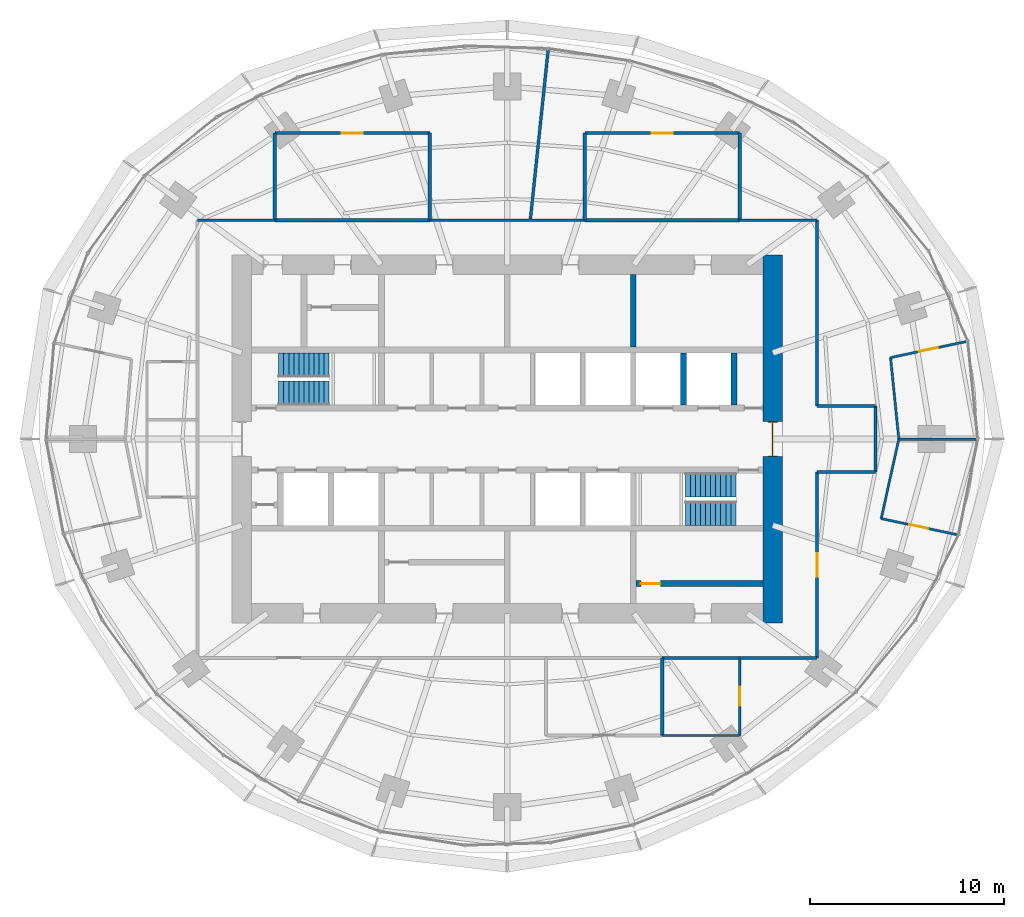
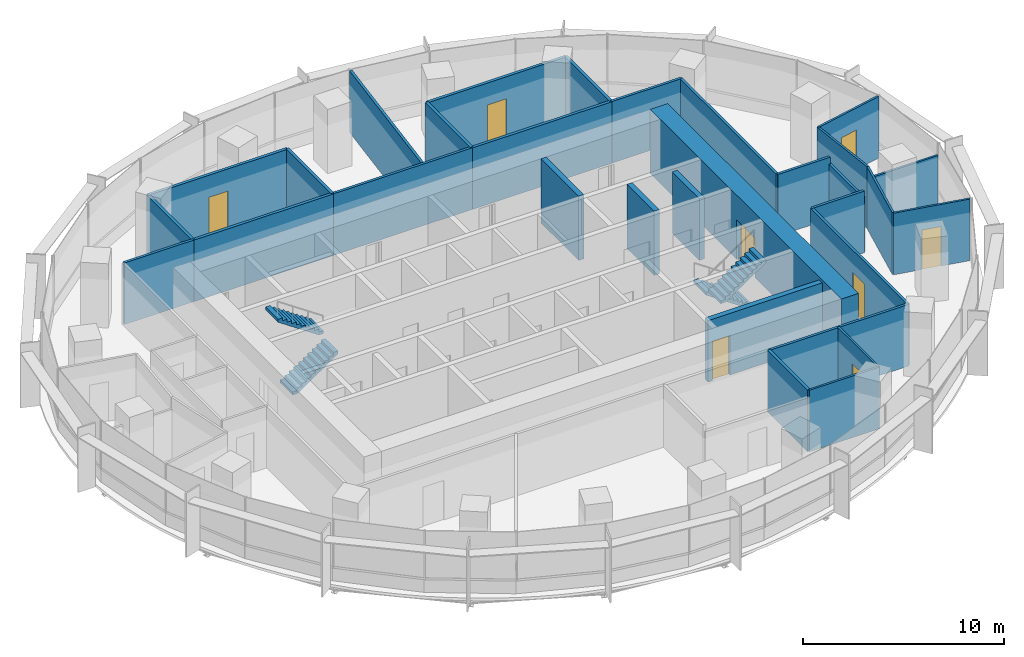
# One storey, part 12 of 14: 31 walls, 8 doors, 4 stair flights, 8 openings, 2 elements without a shape of their own.
"""IFC4 building model written with IfcOpenShell, lengths in metres."""

from ifc_helpers import new_model, si_unit, direction, frame, frame_2d, origin, place, context, subcontext, project, spatial, polyline, rectangle, outline, extrude, material, layer, layer_set, type_object, element, fill, aggregate, save


model = new_model("IFC4")

# Units and contexts
model_context = context("Model", 3, precision=1e-05, world=origin(), true_north=direction((0.0, 1.0)))
body_context = subcontext(model_context, "Body", "Model", "MODEL_VIEW")
ifc_project = project(units=[si_unit("LENGTHUNIT", "METRE"), si_unit("AREAUNIT", "SQUARE_METRE"), si_unit("VOLUMEUNIT", "CUBIC_METRE"), si_unit("PLANEANGLEUNIT", "RADIAN"), si_unit("MASSUNIT", "GRAM", prefix="KILO")], contexts=[model_context])

# Site, building, storey
site_placement = place(None, origin())
site = spatial("IfcSite", under=ifc_project, at=site_placement, CompositionType="ELEMENT")
building_placement = place(site_placement, origin())
building = spatial("IfcBuilding", under=site, at=building_placement, Name="Marramba Exchange Tower", CompositionType="ELEMENT")
storey_placement = place(building_placement, frame((0.0, 0.0, 179.89990234375)))
storey = spatial("IfcBuildingStorey", under=building, at=storey_placement, Name="L43", CompositionType="ELEMENT", Elevation=179.89990234375)

# Walls
ifc_material_1 = material(Name="Plasterboard on staggered double steel studs, acoustic insulation", Category="steel")
ifc_layer_1 = layer(ifc_material_1, 0.169921875)
ifc_layer_set_1 = layer_set([ifc_layer_1], Name="Acoustic partition 170")
wall_type_1 = type_object("IfcWallType", Name="Acoustic partition 170", PredefinedType="PARTITIONING", material=ifc_layer_set_1)
wall_1_placement = place(storey_placement, frame((8.0, -11.300048828125, 0.0), z_axis=(0.0, 0.0, 1.0), x_axis=(0.0, -1.0, 0.0)))
element("IfcWall", 1, at=wall_1_placement, inside=storey, type_object=wall_type_1, Name="Acoustic partition L43 09", PredefinedType="PARTITIONING", context=body_context, shape_type="SweptSolid", body=[
    extrude(rectangle(XDim=4.0, YDim=0.169921875, at=frame_2d((2.0, 0.0))), origin(), (0.0, 0.0, 1.0), 3.739990234375),
])
wall_2_placement = place(storey_placement, frame((12.0, 11.300048828125, 0.0), z_axis=(0.0, 0.0, 1.0), x_axis=(0.0, 1.0, 0.0)))
element("IfcWall", 2, at=wall_2_placement, inside=storey, type_object=wall_type_1, Name="Acoustic partition L43 24", PredefinedType="PARTITIONING", context=body_context, shape_type="SweptSolid", body=[
    extrude(rectangle(XDim=4.5, YDim=0.169921875, at=frame_2d((2.25, 0.0))), origin(), (0.0, 0.0, 1.0), 3.739990234375),
])
wall_3_placement = place(storey_placement, frame((4.0, 11.300048828125, 0.0), z_axis=(0.0, 0.0, 1.0), x_axis=(1.0, 0.0, 0.0)))
element("IfcWall", 3, at=wall_3_placement, inside=storey, type_object=wall_type_1, Name="Acoustic partition L43 25", PredefinedType="PARTITIONING", context=body_context, shape_type="SweptSolid", body=[
    extrude(rectangle(XDim=8.0, YDim=0.169921875, at=frame_2d((4.0, 0.0))), origin(), (0.0, 0.0, 1.0), 3.739990234375),
])

# Wall, opening, door
wall_4_placement = place(storey_placement, frame((12.0, 15.800048828125, 0.0), z_axis=(0.0, 0.0, 1.0), x_axis=(-1.0, 0.0, 0.0)))
wall_4 = element("IfcWall", 4, at=wall_4_placement, inside=storey, type_object=wall_type_1, Name="Acoustic partition L43 26", PredefinedType="PARTITIONING", context=body_context, shape_type="SweptSolid", body=[
    extrude(rectangle(XDim=8.0, YDim=0.169921875, at=frame_2d((4.0, 0.0))), origin(), (0.0, 0.0, 1.0), 3.739990234375),
])
opening_1_placement = place(wall_4_placement, frame((3.449951171875, 0.0, 0.0)))
opening_1 = element("IfcOpeningElement", 5, at=opening_1_placement, cuts=wall_4, Name="Opening D15", PredefinedType="OPENING", context=body_context, shape_type="SweptSolid", body=[
    extrude(rectangle(XDim=1.10009765625, YDim=2.39990234375, at=frame_2d((0.550048828125, 1.199951171875))), frame((0.0, 0.094970703125, 0.0), z_axis=(0.0, -1.0, 0.0), x_axis=(1.0, 0.0, 0.0)), (0.0, 0.0, 1.0), 0.18994140625),
])
ifc_material_2 = material(Name="Timber door", Category="wood")
door_type_1 = type_object("IfcDoorType", Name="Glazed meeting room door 1100x2400", OperationType="SINGLE_SWING_LEFT", PredefinedType="DOOR", material=ifc_material_2)
door_1_placement = place(opening_1_placement, origin())
door_1 = element("IfcDoor", 6, at=door_1_placement, inside=storey, type_object=door_type_1, Name="D15 Meeting Room 1 L43", OperationType="SINGLE_SWING_RIGHT", OverallHeight=2.39990234375, OverallWidth=1.10009765625, PredefinedType="DOOR", context=body_context, shape_type="SweptSolid", body=[
    extrude(rectangle(XDim=1.10009765625, YDim=2.39990234375, at=frame_2d((0.550048828125, 1.199951171875))), frame((0.0, 0.02490234375, 0.0), z_axis=(0.0, -1.0, 0.0), x_axis=(1.0, 0.0, 0.0)), (0.0, 0.0, 1.0), 0.050048828125),
])
fill(opening_1, door_1)

# Walls
for number, where, z_axis, x_axis, name in (
    (7, (4.0, 15.800048828125, 0.0), (0.0, 0.0, 1.0), (0.0, -1.0, 0.0), "Acoustic partition L43 27"),
    (8, (-4.0, 11.300048828125, 0.0), (0.0, 0.0, 1.0), (0.0, 1.0, 0.0), "Acoustic partition L43 30"),
):
    element("IfcWall", number, at=place(storey_placement, frame(where, z_axis=z_axis, x_axis=x_axis)), inside=storey, type_object=wall_type_1, Name=name, PredefinedType="PARTITIONING", context=body_context, shape_type="SweptSolid", body=[
        extrude(rectangle(XDim=4.5, YDim=0.169921875, at=frame_2d((2.25, 0.0))), origin(), (0.0, 0.0, 1.0), 3.739990234375),
    ])

# Wall, opening, door
wall_5_placement = place(storey_placement, frame((-4.0, 15.800048828125, 0.0), z_axis=(0.0, 0.0, 1.0), x_axis=(-1.0, 0.0, 0.0)))
wall_5 = element("IfcWall", 9, at=wall_5_placement, inside=storey, type_object=wall_type_1, Name="Acoustic partition L43 31", PredefinedType="PARTITIONING", context=body_context, shape_type="SweptSolid", body=[
    extrude(rectangle(XDim=8.0, YDim=0.169921875, at=frame_2d((4.0, 0.0))), origin(), (0.0, 0.0, 1.0), 3.739990234375),
])
opening_2_placement = place(wall_5_placement, frame((3.449951171875, 0.0, 0.0)))
opening_2 = element("IfcOpeningElement", 10, at=opening_2_placement, cuts=wall_5, Name="Opening D15", PredefinedType="OPENING", context=body_context, shape_type="SweptSolid", body=[
    extrude(rectangle(XDim=1.10009765625, YDim=2.39990234375, at=frame_2d((0.550048828125, 1.199951171875))), frame((0.0, 0.094970703125, 0.0), z_axis=(0.0, -1.0, 0.0), x_axis=(1.0, 0.0, 0.0)), (0.0, 0.0, 1.0), 0.18994140625),
])
door_2_placement = place(opening_2_placement, origin())
door_2 = element("IfcDoor", 11, at=door_2_placement, inside=storey, type_object=door_type_1, Name="D15 Meeting Room 3 L43", OperationType="SINGLE_SWING_RIGHT", OverallHeight=2.39990234375, OverallWidth=1.10009765625, PredefinedType="DOOR", context=body_context, shape_type="SweptSolid", body=[
    extrude(rectangle(XDim=1.10009765625, YDim=2.39990234375, at=frame_2d((0.550048828125, 1.199951171875))), frame((0.0, 0.02490234375, 0.0), z_axis=(0.0, -1.0, 0.0), x_axis=(1.0, 0.0, 0.0)), (0.0, 0.0, 1.0), 0.050048828125),
])
fill(opening_2, door_2)

# Walls
wall_6_placement = place(storey_placement, frame((-12.0, 11.300048828125, 0.0), z_axis=(0.0, 0.0, 1.0), x_axis=(1.0, 0.0, 0.0)))
element("IfcWall", 12, at=wall_6_placement, inside=storey, type_object=wall_type_1, Name="Acoustic partition L43 32", PredefinedType="PARTITIONING", context=body_context, shape_type="SweptSolid", body=[
    extrude(rectangle(XDim=8.0, YDim=0.169921875, at=frame_2d((4.0, 0.0))), origin(), (0.0, 0.0, 1.0), 3.739990234375),
])
wall_7_placement = place(storey_placement, frame((-12.0, 15.800048828125, 0.0), z_axis=(0.0, 0.0, 1.0), x_axis=(0.0, -1.0, 0.0)))
element("IfcWall", 13, at=wall_7_placement, inside=storey, type_object=wall_type_1, Name="Acoustic partition L43 33", PredefinedType="PARTITIONING", context=body_context, shape_type="SweptSolid", body=[
    extrude(rectangle(XDim=4.5, YDim=0.169921875, at=frame_2d((2.25, 0.0))), origin(), (0.0, 0.0, 1.0), 3.739990234375),
])

# Wall, opening, door
ifc_material_3 = material(Name="Concrete N50", Category="concrete")
ifc_layer_2 = layer(ifc_material_3, 1.0)
ifc_layer_set_2 = layer_set([ifc_layer_2], Name="Core wall 1000")
wall_type_2 = type_object("IfcWallType", Name="Core wall 1000", PredefinedType="SHEAR", material=ifc_layer_set_2)
wall_8_placement = place(storey_placement, frame((13.699951171875, -9.5, 0.0), z_axis=(0.0, 0.0, 1.0), x_axis=(0.0, 1.0, 0.0)))
wall_8 = element("IfcWall", 14, at=wall_8_placement, inside=storey, type_object=wall_type_2, Name="Core wall E L43", PredefinedType="SHEAR", context=body_context, shape_type="SweptSolid", body=[
    extrude(rectangle(XDim=19.0, YDim=1.0, at=frame_2d((9.5, 0.0))), origin(), (0.0, 0.0, 1.0), 3.900146484375),
])
opening_3_placement = place(wall_8_placement, frame((8.60009765625, 0.0, 0.0)))
opening_3 = element("IfcOpeningElement", 15, at=opening_3_placement, cuts=wall_8, Name="Opening D1", PredefinedType="OPENING", context=body_context, shape_type="SweptSolid", body=[
    extrude(rectangle(XDim=1.800048828125, YDim=2.39990234375, at=frame_2d((0.89990234375, 1.199951171875))), frame((0.0, 0.510009765625, 0.0), z_axis=(0.0, -1.0, 0.0), x_axis=(1.0, 0.0, 0.0)), (0.0, 0.0, 1.0), 1.02001953125),
])
ifc_material_4 = material(Name="Steel-framed door", Category="steel")
door_type_2 = type_object("IfcDoorType", Name="Lobby exit door 1800x2400", OperationType="DOUBLE_DOOR_SINGLE_SWING", PredefinedType="DOOR", material=ifc_material_4)
door_3_placement = place(opening_3_placement, origin())
door_3 = element("IfcDoor", 16, at=door_3_placement, inside=storey, type_object=door_type_2, Name="D1 lobby exit east L43", OperationType="DOUBLE_DOOR_SINGLE_SWING", OverallHeight=2.39990234375, OverallWidth=1.800048828125, PredefinedType="DOOR", context=body_context, shape_type="SweptSolid", body=[
    extrude(rectangle(XDim=1.719970703125, YDim=2.35986328125, at=frame_2d((0.89990234375, 1.179931640625))), frame((0.0, 0.02490234375, 0.0), z_axis=(0.0, -1.0, 0.0), x_axis=(1.0, 0.0, 0.0)), (0.0, 0.0, 1.0), 0.050048828125),
    extrude(rectangle(XDim=0.04, YDim=2.39990234375, at=frame_2d((0.02001953125, 1.199951171875))), frame((0.0, 0.25, 0.0), z_axis=(0.0, -1.0, 0.0), x_axis=(1.0, 0.0, 0.0)), (0.0, 0.0, 1.0), 0.5),
    extrude(rectangle(XDim=0.04, YDim=2.39990234375, at=frame_2d((1.780029296875, 1.199951171875))), frame((0.0, 0.25, 0.0), z_axis=(0.0, -1.0, 0.0), x_axis=(1.0, 0.0, 0.0)), (0.0, 0.0, 1.0), 0.5),
    extrude(rectangle(XDim=1.719970703125, YDim=0.04, at=frame_2d((0.89990234375, 2.3798828125))), frame((0.0, 0.25, 0.0), z_axis=(0.0, -1.0, 0.0), x_axis=(1.0, 0.0, 0.0)), (0.0, 0.0, 1.0), 0.5),
])
fill(opening_3, door_3)

# Walls
ifc_layer_3 = layer(ifc_material_3, 0.300048828125)
ifc_layer_set_3 = layer_set([ifc_layer_3], Name="Core wall 300")
wall_type_3 = type_object("IfcWallType", Name="Core wall 300", PredefinedType="SHEAR", material=ifc_layer_set_3)
wall_9_placement = place(storey_placement, frame((6.5, 4.75, 0.0), z_axis=(0.0, 0.0, 1.0), x_axis=(0.0, 1.0, 0.0)))
element("IfcWall", 17, at=wall_9_placement, inside=storey, type_object=wall_type_3, Name="Core wall X1Nb L43", PredefinedType="SHEAR", context=body_context, shape_type="SweptSolid", body=[
    extrude(rectangle(XDim=3.75, YDim=0.300048828125, at=frame_2d((1.875, 0.0))), origin(), (0.0, 0.0, 1.0), 3.900146484375),
])
wall_10_placement = place(storey_placement, frame((9.10009765625, 1.75, 0.0), z_axis=(0.0, 0.0, 1.0), x_axis=(0.0, 1.0, 0.0)))
element("IfcWall", 18, at=wall_10_placement, inside=storey, type_object=wall_type_3, Name="Core wall ED L43", PredefinedType="SHEAR", context=body_context, shape_type="SweptSolid", body=[
    extrude(rectangle(XDim=2.699951171875, YDim=0.300048828125, at=frame_2d((1.35009765625, 0.0))), origin(), (0.0, 0.0, 1.0), 3.900146484375),
])
ifc_material_5 = material(Name="Core-filled concrete blockwork", Category="masonry")
ifc_layer_4 = layer(ifc_material_5, 0.300048828125)
ifc_layer_set_4 = layer_set([ifc_layer_4], Name="Lift shaft wall 300")
wall_type_4 = type_object("IfcWallType", Name="Lift shaft wall 300", PredefinedType="SOLIDWALL", material=ifc_layer_set_4)
wall_11_placement = place(storey_placement, frame((11.699951171875, 1.75, 0.0), z_axis=(0.0, 0.0, 1.0), x_axis=(0.0, 1.0, 0.0)))
element("IfcWall", 19, at=wall_11_placement, inside=storey, type_object=wall_type_4, Name="Lift shaft wall E1 L43", PredefinedType="SOLIDWALL", context=body_context, shape_type="SweptSolid", body=[
    extrude(rectangle(XDim=2.699951171875, YDim=0.300048828125, at=frame_2d((1.35009765625, 0.0))), origin(), (0.0, 0.0, 1.0), 3.739990234375),
])
ifc_material_6 = material(Name="Plasterboard on steel studs", Category="steel")
ifc_layer_5 = layer(ifc_material_6, 0.1201171875)
ifc_layer_set_5 = layer_set([ifc_layer_5], Name="Partition 120")
wall_type_5 = type_object("IfcWallType", Name="Partition 120", PredefinedType="PARTITIONING", material=ifc_layer_set_5)
wall_12_placement = place(storey_placement, frame((8.0, -15.300048828125, 0.0), z_axis=(0.0, 0.0, 1.0), x_axis=(1.0, 0.0, 0.0)))
element("IfcWall", 20, at=wall_12_placement, inside=storey, type_object=wall_type_5, Name="Partition L43 10", PredefinedType="PARTITIONING", context=body_context, shape_type="SweptSolid", body=[
    extrude(rectangle(XDim=4.0, YDim=0.1201171875, at=frame_2d((2.0, 0.0))), origin(), (0.0, 0.0, 1.0), 3.739990234375),
])

# Wall, opening, door
wall_13_placement = place(storey_placement, frame((12.0, -15.300048828125, 0.0), z_axis=(0.0, 0.0, 1.0), x_axis=(0.0, 1.0, 0.0)))
wall_13 = element("IfcWall", 21, at=wall_13_placement, inside=storey, type_object=wall_type_5, Name="Partition L43 11", PredefinedType="PARTITIONING", context=body_context, shape_type="SweptSolid", body=[
    extrude(rectangle(XDim=4.0, YDim=0.1201171875, at=frame_2d((2.0, 0.0))), origin(), (0.0, 0.0, 1.0), 3.739990234375),
])
opening_4_placement = place(wall_13_placement, frame((1.52587890625, 0.0, 0.0)))
opening_4 = element("IfcOpeningElement", 22, at=opening_4_placement, cuts=wall_13, Name="Opening D9", PredefinedType="OPENING", context=body_context, shape_type="SweptSolid", body=[
    extrude(rectangle(XDim=1.0, YDim=2.39990234375, at=frame_2d((0.5, 1.199951171875))), frame((0.0, 0.070068359375, 0.0), z_axis=(0.0, -1.0, 0.0), x_axis=(1.0, 0.0, 0.0)), (0.0, 0.0, 1.0), 0.14013671875),
])
door_type_3 = type_object("IfcDoorType", Name="Room door 1000x2400", OperationType="SINGLE_SWING_LEFT", PredefinedType="DOOR", material=ifc_material_2)
door_4_placement = place(opening_4_placement, origin())
door_4 = element("IfcDoor", 23, at=door_4_placement, inside=storey, type_object=door_type_3, Name="D9 Pantry 1 L43", OperationType="SINGLE_SWING_RIGHT", OverallHeight=2.39990234375, OverallWidth=1.0, PredefinedType="DOOR", context=body_context, shape_type="SweptSolid", body=[
    extrude(rectangle(XDim=1.0, YDim=2.39990234375, at=frame_2d((0.5, 1.199951171875))), frame((0.0, 0.02490234375, 0.0), z_axis=(0.0, -1.0, 0.0), x_axis=(1.0, 0.0, 0.0)), (0.0, 0.0, 1.0), 0.050048828125),
])
fill(opening_4, door_4)

wall_14_placement = place(storey_placement, frame((19.3056640625, -4.103515625, 0.0), z_axis=(0.0, 0.0, 1.0), x_axis=(0.978137903693, -0.207957306576, 0.0)))
wall_14 = element("IfcWall", 24, at=wall_14_placement, inside=storey, type_object=wall_type_5, Name="Partition L43 14", PredefinedType="PARTITIONING", context=body_context, shape_type="SweptSolid", body=[
    extrude(rectangle(XDim=3.999755859375, YDim=0.1201171875, at=frame_2d((2.0, 0.0))), origin(), (0.0, 0.0, 1.0), 3.739990234375),
])
opening_5_placement = place(wall_14_placement, frame((1.47412109375, 0.0, 0.0)))
opening_5 = element("IfcOpeningElement", 25, at=opening_5_placement, cuts=wall_14, Name="Opening D9", PredefinedType="OPENING", context=body_context, shape_type="SweptSolid", body=[
    extrude(rectangle(XDim=1.0, YDim=2.39990234375, at=frame_2d((0.5, 1.199951171875))), frame((0.0, 0.070068359375, 0.0), z_axis=(0.0, -1.0, 0.0), x_axis=(1.0, 0.0, 0.0)), (0.0, 0.0, 1.0), 0.14013671875),
])
door_5_placement = place(opening_5_placement, origin())
door_5 = element("IfcDoor", 26, at=door_5_placement, inside=storey, type_object=door_type_3, Name="D9 Office 1 L43", OperationType="SINGLE_SWING_LEFT", OverallHeight=2.39990234375, OverallWidth=1.0, PredefinedType="DOOR", context=body_context, shape_type="SweptSolid", body=[
    extrude(rectangle(XDim=1.0, YDim=2.39990234375, at=frame_2d((0.5, 1.199951171875))), frame((0.0, 0.02490234375, 0.0), z_axis=(0.0, -1.0, 0.0), x_axis=(1.0, 0.0, 0.0)), (0.0, 0.0, 1.0), 0.050048828125),
])
fill(opening_5, door_5)

# Walls
wall_15_placement = place(storey_placement, frame((20.214111328125, 0.0, 0.0), z_axis=(0.0, 0.0, 1.0), x_axis=(-0.216149261834, -0.976360331337, 0.0)))
element("IfcWall", 27, at=wall_15_placement, inside=storey, type_object=wall_type_5, Name="Partition L43 15", PredefinedType="PARTITIONING", context=body_context, shape_type="SweptSolid", body=[
    extrude(rectangle(XDim=4.202880859375, YDim=0.1201171875, at=frame_2d((2.1015625, 0.0))), origin(), (0.0, 0.0, 1.0), 3.739990234375),
])
wall_16_placement = place(storey_placement, frame((20.214111328125, 0.0, 0.0), z_axis=(0.0, 0.0, 1.0), x_axis=(1.0, 0.0, 0.0)))
element("IfcWall", 28, at=wall_16_placement, inside=storey, type_object=wall_type_5, Name="Partition L43 18", PredefinedType="PARTITIONING", context=body_context, shape_type="SweptSolid", body=[
    extrude(rectangle(XDim=4.0, YDim=0.1201171875, at=frame_2d((2.0, 0.0))), origin(), (0.0, 0.0, 1.0), 3.0400390625),
])
wall_17_placement = place(storey_placement, frame((19.787841796875, 4.2060546875, 0.0), z_axis=(0.0, 0.0, 1.0), x_axis=(0.100830147459, -0.994903654312, 0.0)))
element("IfcWall", 29, at=wall_17_placement, inside=storey, type_object=wall_type_5, Name="Partition L43 20", PredefinedType="PARTITIONING", context=body_context, shape_type="SweptSolid", body=[
    extrude(rectangle(XDim=4.2275390625, YDim=0.1201171875, at=frame_2d((2.11376953125, 0.0))), origin(), (0.0, 0.0, 1.0), 3.739990234375),
])

# Wall, opening, door
wall_18_placement = place(storey_placement, frame((23.700439453125, 5.03759765625, 0.0), z_axis=(0.0, 0.0, 1.0), x_axis=(-0.978152955943, -0.207886494942, 0.0)))
wall_18 = element("IfcWall", 30, at=wall_18_placement, inside=storey, type_object=wall_type_5, Name="Partition L43 21", PredefinedType="PARTITIONING", context=body_context, shape_type="SweptSolid", body=[
    extrude(rectangle(XDim=4.0, YDim=0.1201171875, at=frame_2d((2.0, 0.0))), origin(), (0.0, 0.0, 1.0), 3.739990234375),
])
opening_6_placement = place(wall_18_placement, frame((1.5, 0.0, 0.0)))
opening_6 = element("IfcOpeningElement", 31, at=opening_6_placement, cuts=wall_18, Name="Opening D9", PredefinedType="OPENING", context=body_context, shape_type="SweptSolid", body=[
    extrude(rectangle(XDim=1.0, YDim=2.39990234375, at=frame_2d((0.5, 1.199951171875))), frame((0.0, 0.070068359375, 0.0), z_axis=(0.0, -1.0, 0.0), x_axis=(1.0, 0.0, 0.0)), (0.0, 0.0, 1.0), 0.14013671875),
])
door_6_placement = place(opening_6_placement, origin())
door_6 = element("IfcDoor", 32, at=door_6_placement, inside=storey, type_object=door_type_3, Name="D9 Office 2 L43", OperationType="SINGLE_SWING_RIGHT", OverallHeight=2.39990234375, OverallWidth=1.0, PredefinedType="DOOR", context=body_context, shape_type="SweptSolid", body=[
    extrude(rectangle(XDim=1.0, YDim=2.39990234375, at=frame_2d((0.5, 1.199951171875))), frame((0.0, 0.02490234375, 0.0), z_axis=(0.0, -1.0, 0.0), x_axis=(1.0, 0.0, 0.0)), (0.0, 0.0, 1.0), 0.050048828125),
])
fill(opening_6, door_6)

ifc_material_7 = material(Name="Plasterboard on steel studs, insulated, unrated", Category="steel")
ifc_layer_6 = layer(ifc_material_7, 0.300048828125)
ifc_layer_set_6 = layer_set([ifc_layer_6], Name="Store partition 300")
wall_type_6 = type_object("IfcWallType", Name="Store partition 300", PredefinedType="PARTITIONING", material=ifc_layer_set_6)
wall_19_placement = place(storey_placement, frame((6.64990234375, -7.4599609375, 0.0), z_axis=(0.0, 0.0, 1.0), x_axis=(1.0, 0.0, 0.0)))
wall_19 = element("IfcWall", 33, at=wall_19_placement, inside=storey, type_object=wall_type_6, Name="Store partition L43 cstore", PredefinedType="PARTITIONING", context=body_context, shape_type="SweptSolid", body=[
    extrude(rectangle(XDim=6.550048828125, YDim=0.300048828125, at=frame_2d((3.27490234375, 0.0))), origin(), (0.0, 0.0, 1.0), 3.739990234375),
])
opening_7_placement = place(wall_19_placement, frame((0.25, 0.0, 0.0)))
opening_7 = element("IfcOpeningElement", 34, at=opening_7_placement, cuts=wall_19, Name="Opening D9", PredefinedType="OPENING", context=body_context, shape_type="SweptSolid", body=[
    extrude(rectangle(XDim=1.0, YDim=2.39990234375, at=frame_2d((0.5, 1.199951171875))), frame((0.0, 0.159912109375, 0.0), z_axis=(0.0, -1.0, 0.0), x_axis=(1.0, 0.0, 0.0)), (0.0, 0.0, 1.0), 0.320068359375),
])
door_7_placement = place(opening_7_placement, frame((1.0, 0.0, 0.0), z_axis=(0.0, 0.0, 1.0), x_axis=(-1.0, 0.0, 0.0)))
door_7 = element("IfcDoor", 35, at=door_7_placement, inside=storey, type_object=door_type_3, Name="D9 general store L43", OperationType="SINGLE_SWING_RIGHT", OverallHeight=2.39990234375, OverallWidth=1.0, PredefinedType="DOOR", context=body_context, shape_type="SweptSolid", body=[
    extrude(rectangle(XDim=1.0, YDim=2.39990234375, at=frame_2d((0.5, 1.199951171875))), frame((0.0, 0.025146484375, 0.0), z_axis=(0.0, -1.0, 0.0), x_axis=(1.0, 0.0, 0.0)), (0.0, 0.0, 1.0), 0.050048828125),
])
fill(opening_7, door_7)

# Wall
ifc_material_8 = material(Name="Fire-rated plasterboard on steel studs, acoustic insulation", Category="steel")
ifc_layer_7 = layer(ifc_material_8, 0.14990234375)
ifc_layer_set_7 = layer_set([ifc_layer_7], Name="Tenancy wall 150")
wall_type_7 = type_object("IfcWallType", Name="Tenancy wall 150", PredefinedType="PARTITIONING", material=ifc_layer_set_7)
wall_20_placement = place(storey_placement, frame((8.0, -11.300048828125, 0.0), z_axis=(0.0, 0.0, 1.0), x_axis=(1.0, 0.0, 0.0)))
element("IfcWall", 36, at=wall_20_placement, inside=storey, type_object=wall_type_7, Name="Tenancy wall L43 12", PredefinedType="PARTITIONING", context=body_context, shape_type="SweptSolid", body=[
    extrude(rectangle(XDim=8.0, YDim=0.14990234375, at=frame_2d((4.0, 0.0))), origin(), (0.0, 0.0, 1.0), 3.739990234375),
])

# Wall, opening, door
wall_21_placement = place(storey_placement, frame((16.0, -11.300048828125, 0.0), z_axis=(0.0, 0.0, 1.0), x_axis=(0.0, 1.0, 0.0)))
wall_21 = element("IfcWall", 37, at=wall_21_placement, inside=storey, type_object=wall_type_7, Name="Tenancy wall L43 13", PredefinedType="PARTITIONING", context=body_context, shape_type="SweptSolid", body=[
    extrude(rectangle(XDim=9.60009765625, YDim=0.14990234375, at=frame_2d((4.800048828125, 0.0))), origin(), (0.0, 0.0, 1.0), 3.739990234375),
])
opening_8_placement = place(wall_21_placement, frame((4.199951171875, 0.0, 0.0)))
opening_8 = element("IfcOpeningElement", 38, at=opening_8_placement, cuts=wall_21, Name="Opening D13", PredefinedType="OPENING", context=body_context, shape_type="SweptSolid", body=[
    extrude(rectangle(XDim=1.199951171875, YDim=2.39990234375, at=frame_2d((0.60009765625, 1.199951171875))), frame((0.0, 0.0849609375, 0.0), z_axis=(0.0, -1.0, 0.0), x_axis=(1.0, 0.0, 0.0)), (0.0, 0.0, 1.0), 0.169921875),
])
door_type_4 = type_object("IfcDoorType", Name="Tenancy entry door 1200x2400", OperationType="SINGLE_SWING_LEFT", PredefinedType="DOOR", material=ifc_material_4)
door_8_placement = place(opening_8_placement, origin())
door_8 = element("IfcDoor", 39, at=door_8_placement, inside=storey, type_object=door_type_4, Name="D13 Office 1 L43", OperationType="SINGLE_SWING_LEFT", OverallHeight=2.39990234375, OverallWidth=1.199951171875, PredefinedType="DOOR", context=body_context, shape_type="SweptSolid", body=[
    extrude(rectangle(XDim=1.199951171875, YDim=2.39990234375, at=frame_2d((0.60009765625, 1.199951171875))), frame((0.0, 0.02490234375, 0.0), z_axis=(0.0, -1.0, 0.0), x_axis=(1.0, 0.0, 0.0)), (0.0, 0.0, 1.0), 0.050048828125),
])
fill(opening_8, door_8)

# Walls
wall_22_placement = place(storey_placement, frame((16.0, -1.699951171875, 0.0), z_axis=(0.0, 0.0, 1.0), x_axis=(1.0, 0.0, 0.0)))
element("IfcWall", 40, at=wall_22_placement, inside=storey, type_object=wall_type_7, Name="Tenancy wall L43 16", PredefinedType="PARTITIONING", context=body_context, shape_type="SweptSolid", body=[
    extrude(rectangle(XDim=3.0, YDim=0.14990234375, at=frame_2d((1.5, 0.0))), origin(), (0.0, 0.0, 1.0), 3.739990234375),
])
wall_23_placement = place(storey_placement, frame((19.0, -1.699951171875, 0.0), z_axis=(0.0, 0.0, 1.0), x_axis=(0.0, 1.0, 0.0)))
element("IfcWall", 41, at=wall_23_placement, inside=storey, type_object=wall_type_7, Name="Tenancy wall L43 17", PredefinedType="PARTITIONING", context=body_context, shape_type="SweptSolid", body=[
    extrude(rectangle(XDim=3.39990234375, YDim=0.14990234375, at=frame_2d((1.699951171875, 0.0))), origin(), (0.0, 0.0, 1.0), 3.333984375),
])
wall_24_placement = place(storey_placement, frame((19.0, 1.699951171875, 0.0), z_axis=(0.0, 0.0, 1.0), x_axis=(-1.0, 0.0, 0.0)))
element("IfcWall", 42, at=wall_24_placement, inside=storey, type_object=wall_type_7, Name="Tenancy wall L43 19", PredefinedType="PARTITIONING", context=body_context, shape_type="SweptSolid", body=[
    extrude(rectangle(XDim=3.0, YDim=0.14990234375, at=frame_2d((1.5, 0.0))), origin(), (0.0, 0.0, 1.0), 3.739990234375),
])
wall_25_placement = place(storey_placement, frame((16.0, 1.699951171875, 0.0), z_axis=(0.0, 0.0, 1.0), x_axis=(0.0, 1.0, 0.0)))
element("IfcWall", 43, at=wall_25_placement, inside=storey, type_object=wall_type_7, Name="Tenancy wall L43 22", PredefinedType="PARTITIONING", context=body_context, shape_type="SweptSolid", body=[
    extrude(rectangle(XDim=9.60009765625, YDim=0.14990234375, at=frame_2d((4.800048828125, 0.0))), origin(), (0.0, 0.0, 1.0), 3.739990234375),
])
wall_26_placement = place(storey_placement, frame((16.0, 11.300048828125, 0.0), z_axis=(0.0, 0.0, 1.0), x_axis=(-1.0, 0.0, 0.0)))
element("IfcWall", 44, at=wall_26_placement, inside=storey, type_object=wall_type_7, Name="Tenancy wall L43 23", PredefinedType="PARTITIONING", context=body_context, shape_type="SweptSolid", body=[
    extrude(rectangle(XDim=4.0, YDim=0.14990234375, at=frame_2d((2.0, 0.0))), origin(), (0.0, 0.0, 1.0), 3.739990234375),
])
wall_27_placement = place(storey_placement, frame((1.187744140625, 11.300048828125, 0.0), z_axis=(0.0, 0.0, 1.0), x_axis=(0.104530715581, 0.994521658638, 0.0)))
element("IfcWall", 45, at=wall_27_placement, inside=storey, type_object=wall_type_7, Name="Tenancy wall L43 28", PredefinedType="PARTITIONING", context=body_context, shape_type="SweptSolid", body=[
    extrude(rectangle(XDim=8.826171875, YDim=0.14990234375, at=frame_2d((4.4130859375, 0.0))), origin(), (0.0, 0.0, 1.0), 3.739990234375),
])
wall_28_placement = place(storey_placement, frame((4.0, 11.300048828125, 0.0), z_axis=(0.0, 0.0, 1.0), x_axis=(-1.0, 0.0, 0.0)))
element("IfcWall", 46, at=wall_28_placement, inside=storey, type_object=wall_type_7, Name="Tenancy wall L43 29", PredefinedType="PARTITIONING", context=body_context, shape_type="SweptSolid", body=[
    extrude(rectangle(XDim=8.0, YDim=0.14990234375, at=frame_2d((4.0, 0.0))), origin(), (0.0, 0.0, 1.0), 3.739990234375),
])
wall_29_placement = place(storey_placement, frame((-12.0, 11.300048828125, 0.0), z_axis=(0.0, 0.0, 1.0), x_axis=(-1.0, 0.0, 0.0)))
element("IfcWall", 47, at=wall_29_placement, inside=storey, type_object=wall_type_7, Name="Tenancy wall L43 34", PredefinedType="PARTITIONING", context=body_context, shape_type="SweptSolid", body=[
    extrude(rectangle(XDim=4.0, YDim=0.14990234375, at=frame_2d((2.0, 0.0))), origin(), (0.0, 0.0, 1.0), 3.739990234375),
])

# Stair, stair flights
ifc_material_9 = material(Name="Concrete N40 (40 MPa)", Category="concrete")
stair_type_1 = type_object("IfcStairType", Name="Exit stair ST1 3900 x 1250", PredefinedType="HALF_TURN_STAIR", material=ifc_material_9)
stair_1_placement = place(storey_placement, origin())
stair_1 = element("IfcStair", 48, at=stair_1_placement, inside=storey, type_object=stair_type_1, Name="Exit stair ST1 L43", PredefinedType="HALF_TURN_STAIR")
stair_flight_type_1 = type_object("IfcStairFlightType", Name="ST1 stair flight 1773 riser 1250 wide", PredefinedType="STRAIGHT", material=ifc_material_9)
stair_flight_1_placement = place(storey_placement, frame((-11.800048828125, 2.375, 0.0), z_axis=(0.0, 0.0, 1.0), x_axis=(1.0, 0.0, 0.0)))
stair_flight_1 = element("IfcStairFlight", 49, at=stair_flight_1_placement, type_object=stair_flight_type_1, Name="ST1 flight 1", NumberOfRisers=11, NumberOfTreads=10, PredefinedType="STRAIGHT", RiserHeight=0.177272727, TreadLength=0.26, context=body_context, shape_type="SweptSolid", body=[
    extrude(outline(polyline([(0.0, 0.0), (0.0, 0.17724609375), (0.260009765625, 0.17724609375), (0.260009765625, 0.3544921875), (0.52001953125, 0.3544921875), (0.52001953125, 0.53173828125), (0.780029296875, 0.53173828125), (0.780029296875, 0.708984375), (1.0400390625, 0.708984375), (1.0400390625, 0.886474609375), (1.300048828125, 0.886474609375), (1.300048828125, 1.063720703125), (1.56005859375, 1.063720703125), (1.56005859375, 1.240966796875), (1.820068359375, 1.240966796875), (1.820068359375, 1.418212890625), (2.080078125, 1.418212890625), (2.080078125, 1.595458984375), (2.340087890625, 1.595458984375), (2.340087890625, 1.772705078125), (2.60009765625, 1.772705078125), (2.60009765625, 1.949951171875), (2.60009765625, 1.59130859375), (0.26611328125, 0.0), (0.0, 0.0)])), frame((0.0, 0.625, 0.0), z_axis=(0.0, -1.0, 0.0), x_axis=(1.0, 0.0, 0.0)), (0.0, 0.0, 1.0), 1.25),
])
stair_flight_2_placement = place(storey_placement, frame((-9.199951171875, 3.824951171875, 1.9501953125), z_axis=(0.0, 0.0, 1.0), x_axis=(-1.0, 0.0, 0.0)))
stair_flight_2 = element("IfcStairFlight", 50, at=stair_flight_2_placement, type_object=stair_flight_type_1, Name="ST1 flight 2", NumberOfRisers=11, NumberOfTreads=10, PredefinedType="STRAIGHT", RiserHeight=0.177272727, TreadLength=0.26, context=body_context, shape_type="SweptSolid", body=[
    extrude(outline(polyline([(0.0, 0.0), (0.0, 0.17724609375), (0.260009765625, 0.17724609375), (0.260009765625, 0.3544921875), (0.52001953125, 0.3544921875), (0.52001953125, 0.53173828125), (0.780029296875, 0.53173828125), (0.780029296875, 0.708984375), (1.0400390625, 0.708984375), (1.0400390625, 0.886474609375), (1.300048828125, 0.886474609375), (1.300048828125, 1.063720703125), (1.56005859375, 1.063720703125), (1.56005859375, 1.240966796875), (1.820068359375, 1.240966796875), (1.820068359375, 1.418212890625), (2.080078125, 1.418212890625), (2.080078125, 1.595458984375), (2.340087890625, 1.595458984375), (2.340087890625, 1.772705078125), (2.60009765625, 1.772705078125), (2.60009765625, 1.949951171875), (2.60009765625, 1.59130859375), (0.26611328125, 0.0), (0.0, 0.0)])), frame((0.0, 0.625, 0.0), z_axis=(0.0, -1.0, 0.0), x_axis=(1.0, 0.0, 0.0)), (0.0, 0.0, 1.0), 1.25),
])
aggregate(stair_1, [stair_flight_1, stair_flight_2])

stair_type_2 = type_object("IfcStairType", Name="Exit stair ST2 3900 x 1250", PredefinedType="HALF_TURN_STAIR", material=ifc_material_9)
stair_2_placement = place(storey_placement, origin())
stair_2 = element("IfcStair", 51, at=stair_2_placement, inside=storey, type_object=stair_type_2, Name="Exit stair ST2 L43", PredefinedType="HALF_TURN_STAIR")
stair_flight_type_2 = type_object("IfcStairFlightType", Name="ST2 stair flight 1773 riser 1250 wide", PredefinedType="STRAIGHT", material=ifc_material_9)
stair_flight_3_placement = place(storey_placement, frame((11.800048828125, -2.375, 0.0), z_axis=(0.0, 0.0, 1.0), x_axis=(-1.0, 0.0, 0.0)))
stair_flight_3 = element("IfcStairFlight", 52, at=stair_flight_3_placement, type_object=stair_flight_type_2, Name="ST2 flight 1", NumberOfRisers=11, NumberOfTreads=10, PredefinedType="STRAIGHT", RiserHeight=0.177272727, TreadLength=0.26, context=body_context, shape_type="SweptSolid", body=[
    extrude(outline(polyline([(0.0, 0.0), (0.0, 0.17724609375), (0.260009765625, 0.17724609375), (0.260009765625, 0.3544921875), (0.52001953125, 0.3544921875), (0.52001953125, 0.53173828125), (0.780029296875, 0.53173828125), (0.780029296875, 0.708984375), (1.0400390625, 0.708984375), (1.0400390625, 0.886474609375), (1.300048828125, 0.886474609375), (1.300048828125, 1.063720703125), (1.56005859375, 1.063720703125), (1.56005859375, 1.240966796875), (1.820068359375, 1.240966796875), (1.820068359375, 1.418212890625), (2.080078125, 1.418212890625), (2.080078125, 1.595458984375), (2.340087890625, 1.595458984375), (2.340087890625, 1.772705078125), (2.60009765625, 1.772705078125), (2.60009765625, 1.949951171875), (2.60009765625, 1.59130859375), (0.26611328125, 0.0), (0.0, 0.0)])), frame((0.0, 0.625, 0.0), z_axis=(0.0, -1.0, 0.0), x_axis=(1.0, 0.0, 0.0)), (0.0, 0.0, 1.0), 1.25),
])
stair_flight_4_placement = place(storey_placement, frame((9.199951171875, -3.824951171875, 1.9501953125), z_axis=(0.0, 0.0, 1.0), x_axis=(1.0, 0.0, 0.0)))
stair_flight_4 = element("IfcStairFlight", 53, at=stair_flight_4_placement, type_object=stair_flight_type_2, Name="ST2 flight 2", NumberOfRisers=11, NumberOfTreads=10, PredefinedType="STRAIGHT", RiserHeight=0.177272727, TreadLength=0.26, context=body_context, shape_type="SweptSolid", body=[
    extrude(outline(polyline([(0.0, 0.0), (0.0, 0.17724609375), (0.260009765625, 0.17724609375), (0.260009765625, 0.3544921875), (0.52001953125, 0.3544921875), (0.52001953125, 0.53173828125), (0.780029296875, 0.53173828125), (0.780029296875, 0.708984375), (1.0400390625, 0.708984375), (1.0400390625, 0.886474609375), (1.300048828125, 0.886474609375), (1.300048828125, 1.063720703125), (1.56005859375, 1.063720703125), (1.56005859375, 1.240966796875), (1.820068359375, 1.240966796875), (1.820068359375, 1.418212890625), (2.080078125, 1.418212890625), (2.080078125, 1.595458984375), (2.340087890625, 1.595458984375), (2.340087890625, 1.772705078125), (2.60009765625, 1.772705078125), (2.60009765625, 1.949951171875), (2.60009765625, 1.59130859375), (0.26611328125, 0.0), (0.0, 0.0)])), frame((0.0, 0.625, 0.0), z_axis=(0.0, -1.0, 0.0), x_axis=(1.0, 0.0, 0.0)), (0.0, 0.0, 1.0), 1.25),
])
aggregate(stair_2, [stair_flight_3, stair_flight_4])

save(model, "model.ifc")
